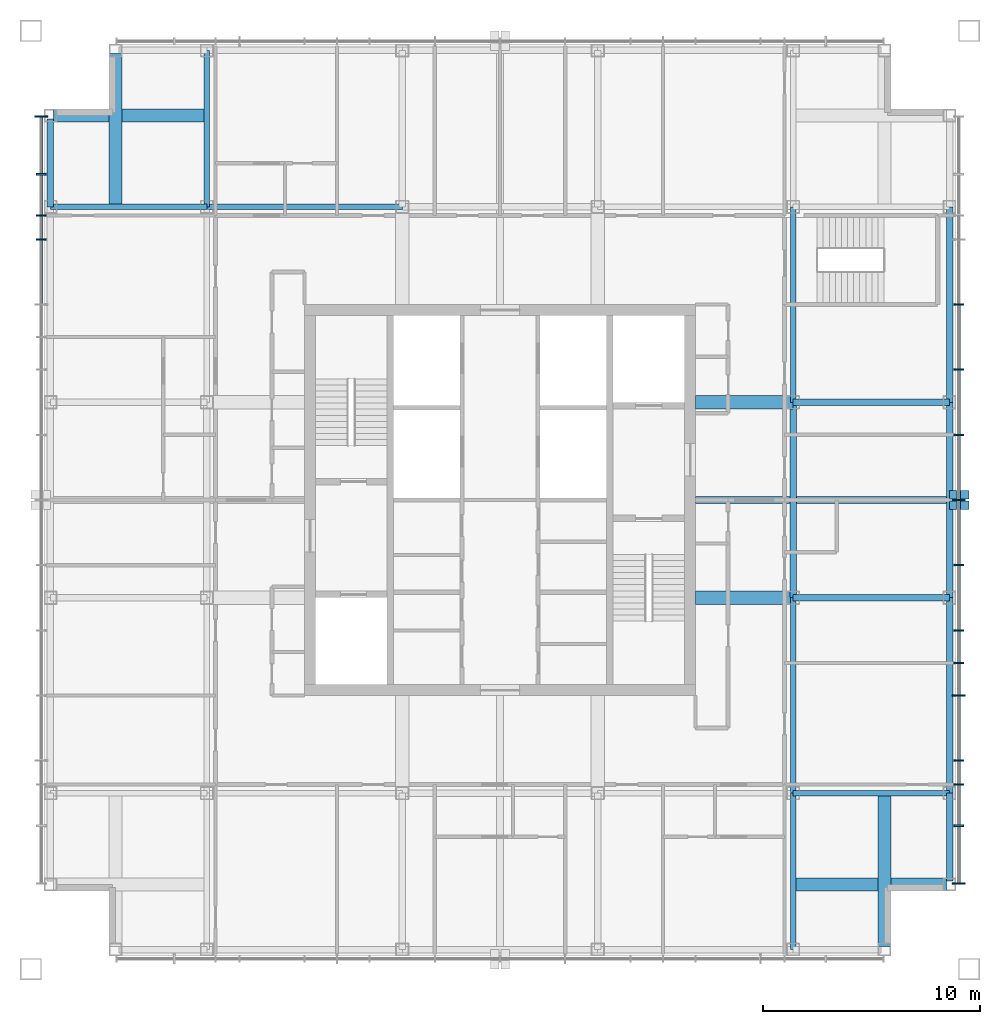
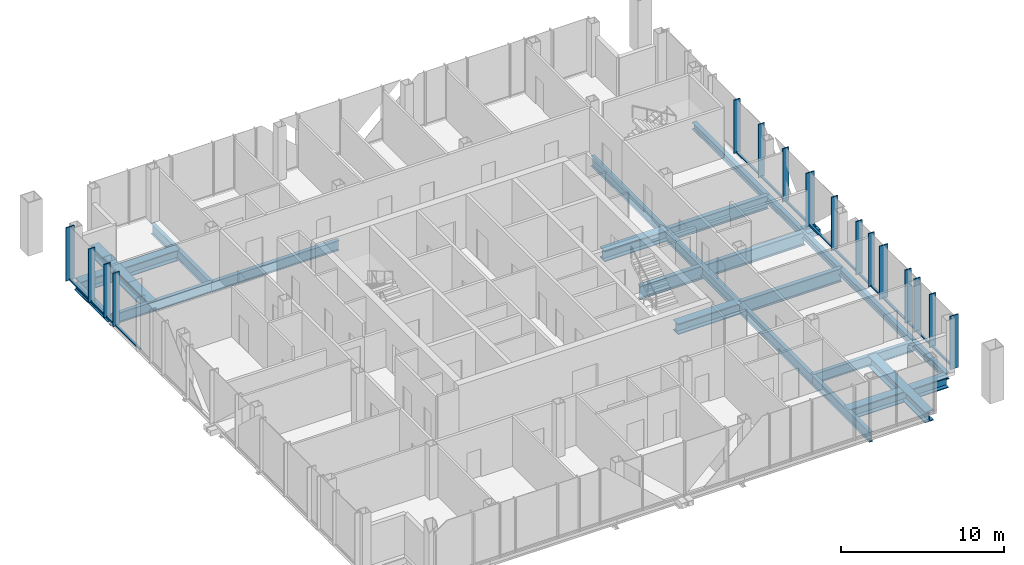
# One storey, part 4 of 12: 33 members, 22 beams, 2 elements without a shape of their own.
"""IFC4 building model written with IfcOpenShell, lengths in metres."""

import ifcopenshell
import ifcopenshell.guid

model = None  # the IFC model being written
_history = None  # IfcOwnerHistory: only IFC2X3 demands one
_inside = {}  # id of a spatial element -> (the spatial element, [elements in it])
_under = {}  # id of a project, library or spatial element -> (it, [spatial elements below it])
_declared = {}  # id of a project -> (the project, [libraries it declares])
_typed = {}  # id of a type object -> (the type object, [elements of that type])
_made_of = {}  # id of a material, layer set ... -> (it, [elements and type objects made of it])


def new_model(schema):
    """Start an empty IFC model of exactly this schema.

    Asked for "IFC4X3", IfcOpenShell would pick the latest addendum, in which some entities
    have other attributes; the version numbers below select the first issue.
    IFC2X3 requires an IfcOwnerHistory on every rooted entity: one is made here for all.
    """
    global model, _history
    if schema == "IFC4X3":
        model = ifcopenshell.file(schema_version=(4, 3, 0, 0))
    else:
        model = ifcopenshell.file(schema=schema)
    _inside.clear()
    _under.clear()
    _declared.clear()
    _typed.clear()
    _made_of.clear()
    _history = None
    if model.schema == "IFC2X3":
        org = make("IfcOrganization", Name="unknown")
        user = make(
            "IfcPersonAndOrganization",
            ThePerson=make("IfcPerson", FamilyName="unknown"),
            TheOrganization=org,
        )
        app = make(
            "IfcApplication",
            ApplicationDeveloper=org,
            Version="unknown",
            ApplicationFullName="unknown",
            ApplicationIdentifier="unknown",
        )
        _history = make(
            "IfcOwnerHistory",
            OwningUser=user,
            OwningApplication=app,
            ChangeAction="ADDED",
            CreationDate=0,
        )
    return model


def make(cls, **values):
    """One entity of the class cls with the attributes given. An attribute that is None is left unset."""
    return model.create_entity(
        cls, **{name: value for name, value in values.items() if value is not None}
    )


def rooted(cls, **values):
    """An entity with a GlobalId (a new one), such as an element, a storey or a relation."""
    return make(cls, GlobalId=ifcopenshell.guid.new(), OwnerHistory=_history, **values)


def si_unit(unit_type, name, prefix=None):
    """IfcSIUnit, for example si_unit("LENGTHUNIT", "METRE", prefix="MILLI")."""
    return make("IfcSIUnit", UnitType=unit_type, Prefix=prefix, Name=name)


def assignment(units):
    """IfcUnitAssignment: the units of a project."""
    return None if units is None else make("IfcUnitAssignment", Units=units)


def point(xyz):
    """IfcCartesianPoint."""
    return None if xyz is None else make("IfcCartesianPoint", Coordinates=xyz)


def direction(xyz):
    """IfcDirection."""
    return None if xyz is None else make("IfcDirection", DirectionRatios=xyz)


def frame(location, z_axis=None, x_axis=None):
    """IfcAxis2Placement3D, a coordinate frame: its origin and axes. An axis left out is left unset."""
    return make(
        "IfcAxis2Placement3D",
        Location=point(location),
        Axis=direction(z_axis),
        RefDirection=direction(x_axis),
    )


def frame_2d(location, x_axis=None):
    """IfcAxis2Placement2D, a coordinate frame in the plane: its origin and x axis."""
    return make(
        "IfcAxis2Placement2D", Location=point(location), RefDirection=direction(x_axis)
    )


def origin():
    """The frame at (0, 0, 0) with its axes left unset."""
    return frame((0.0, 0.0, 0.0))


def origin_2d():
    """The frame at (0, 0) in the plane with its x axis left unset."""
    return frame_2d((0.0, 0.0))


def place(relative_to, where):
    """IfcLocalPlacement: puts the frame where relative to a parent placement (None: the world)."""
    return make(
        "IfcLocalPlacement", PlacementRelTo=relative_to, RelativePlacement=where
    )


def context(
    kind, dimensions, precision=None, world=None, true_north=None, identifier=None
):
    """IfcGeometricRepresentationContext, for example the 3D "Model" context."""
    return make(
        "IfcGeometricRepresentationContext",
        ContextIdentifier=identifier,
        ContextType=kind,
        CoordinateSpaceDimension=dimensions,
        Precision=precision,
        WorldCoordinateSystem=world,
        TrueNorth=true_north,
    )


def subcontext(parent, identifier, kind, view, scale=None):
    """IfcGeometricRepresentationSubContext, for example "Body" below "Model"."""
    return make(
        "IfcGeometricRepresentationSubContext",
        ContextIdentifier=identifier,
        ContextType=kind,
        ParentContext=parent,
        TargetScale=scale,
        TargetView=view,
    )


def project(units=None, contexts=None):
    """IfcProject with its units and contexts."""
    return rooted(
        "IfcProject",
        Name="project",
        RepresentationContexts=contexts,
        UnitsInContext=assignment(units),
    )


def spatial(cls, under=None, at=None, **own):
    """A site, building, storey or space (cls), placed at a placement, below another one or the project."""
    s = rooted(cls, ObjectPlacement=at, **own)
    if under is not None:
        _under.setdefault(under.id(), (under, []))[1].append(s)
    return s


def profile(cls, at=None, kind="AREA", **sizes):
    """A parametric profile (cls). Its sizes go by their IFC names, for example OverallWidth=200.0."""
    return make(cls, ProfileType=kind, Position=at, **sizes)


def rectangle(**sizes):
    """IfcRectangleProfileDef."""
    return profile("IfcRectangleProfileDef", **sizes)


def hollow_rectangle(**sizes):
    """IfcRectangleHollowProfileDef."""
    return profile("IfcRectangleHollowProfileDef", **sizes)


def i_section(**sizes):
    """IfcIShapeProfileDef."""
    return profile("IfcIShapeProfileDef", **sizes)


def extrude(swept, where, along, depth):
    """IfcExtrudedAreaSolid: the profile swept, set in the frame where, extruded along a direction by depth."""
    return make(
        "IfcExtrudedAreaSolid",
        SweptArea=swept,
        Position=where,
        ExtrudedDirection=direction(along),
        Depth=depth,
    )


def shape(context_of_items, identifier, shape_type, items):
    """IfcShapeRepresentation: the items that make up one representation, for example the "Body"."""
    return make(
        "IfcShapeRepresentation",
        ContextOfItems=context_of_items,
        RepresentationIdentifier=identifier,
        RepresentationType=shape_type,
        Items=items,
    )


def material(Name=None, Category=None):
    """IfcMaterial."""
    return make("IfcMaterial", Name=Name, Category=Category)


def layer(
    of_material, thickness, ventilated=None, Name=None, Category=None, Priority=None
):
    """IfcMaterialLayer: one layer of a wall or slab, of a material (None: an air gap)."""
    return make(
        "IfcMaterialLayer",
        Material=of_material,
        LayerThickness=thickness,
        IsVentilated=ventilated,
        Name=Name,
        Category=Category,
        Priority=Priority,
    )


def layer_set(layers, Name=None):
    """IfcMaterialLayerSet."""
    return make("IfcMaterialLayerSet", MaterialLayers=layers, LayerSetName=Name)


def material_profile(
    of_material, cross_section, Name=None, Category=None, Priority=None
):
    """IfcMaterialProfile: a cross section and its material."""
    return make(
        "IfcMaterialProfile",
        Name=Name,
        Material=of_material,
        Profile=cross_section,
        Priority=Priority,
        Category=Category,
    )


def profile_set(profiles, Name=None, composite=None):
    """IfcMaterialProfileSet."""
    return make(
        "IfcMaterialProfileSet",
        Name=Name,
        MaterialProfiles=profiles,
        CompositeProfile=composite,
    )


def made_of(thing, what):
    """Note that an element or type object is made of a material, layer set ...; save() writes the relation."""
    if what is not None:
        _made_of.setdefault(what.id(), (what, []))[1].append(thing)
    return thing


def type_object(cls, material=None, **own):
    """A type object (cls), such as IfcWallType, which elements share."""
    return made_of(rooted(cls, **own), material)


def element(
    cls,
    number,
    at=None,
    inside=None,
    cuts=None,
    type_object=None,
    material=None,
    context=None,
    identifier="Body",
    shape_type=None,
    held_by="IfcProductDefinitionShape",
    body=None,
    shapes=None,
    **own,
):
    """One element of the class cls, such as IfcWall. Its Tag is "e" and its number.

    at: its placement. inside: the storey or other place that contains it. cuts: it is an
    opening in that element (IfcRelVoidsElement). A single representation is given by context,
    identifier, shape_type and body (its items); several are given by shapes. held_by: the class
    of the entity that holds the representations. save() writes the other relations.
    """
    e = rooted(cls, Tag="e%d" % number, ObjectPlacement=at, **own)
    if body is not None:
        shapes = [shape(context, identifier, shape_type, body)]
    if shapes is not None:
        e.Representation = make(held_by, Representations=shapes)
    if inside is not None:
        _inside.setdefault(inside.id(), (inside, []))[1].append(e)
    if cuts is not None:
        rooted(
            "IfcRelVoidsElement", RelatingBuildingElement=cuts, RelatedOpeningElement=e
        )
    if type_object is not None:
        _typed.setdefault(type_object.id(), (type_object, []))[1].append(e)
    return made_of(e, material)


def aggregate(whole, parts):
    """IfcRelAggregates: a whole, such as a stair, and the parts it consists of."""
    return rooted("IfcRelAggregates", RelatingObject=whole, RelatedObjects=parts)


def save(model, path):
    """Write the relations noted so far, then the file.

    IfcRelAggregates (storeys below a building ...), IfcRelContainedInSpatialStructure (elements
    in a storey), IfcRelDefinesByType, IfcRelAssociatesMaterial and IfcRelDeclares: one each for
    every whole, place, type object, material and project.
    """
    for whole, parts in _under.values():
        aggregate(whole, parts)
    for where, things in _inside.values():
        rooted(
            "IfcRelContainedInSpatialStructure",
            RelatedElements=things,
            RelatingStructure=where,
        )
    for kind, things in _typed.values():
        rooted("IfcRelDefinesByType", RelatedObjects=things, RelatingType=kind)
    for what, things in _made_of.values():
        rooted("IfcRelAssociatesMaterial", RelatedObjects=things, RelatingMaterial=what)
    for by, libraries in _declared.values():
        rooted("IfcRelDeclares", RelatingContext=by, RelatedDefinitions=libraries)
    model.write(path)


model = new_model("IFC4")

# Units and contexts
model_context = context("Model", 3, precision=1e-05, world=origin(), true_north=direction((0.0, 1.0)))
body_context = subcontext(model_context, "Body", "Model", "MODEL_VIEW")
ifc_project = project(units=[si_unit("LENGTHUNIT", "METRE"), si_unit("AREAUNIT", "SQUARE_METRE"), si_unit("VOLUMEUNIT", "CUBIC_METRE"), si_unit("PLANEANGLEUNIT", "RADIAN"), si_unit("MASSUNIT", "GRAM", prefix="KILO")], contexts=[model_context])

# Site, building, storey
site_placement = place(None, origin())
site = spatial("IfcSite", under=ifc_project, at=site_placement, CompositionType="ELEMENT")
building_placement = place(site_placement, origin())
building = spatial("IfcBuilding", under=site, at=building_placement, Name="Malebo Sky Hospital", CompositionType="ELEMENT")
storey_placement = place(building_placement, frame((0.0, 0.0, 270.0)))
storey = spatial("IfcBuildingStorey", under=building, at=storey_placement, Name="L65", CompositionType="ELEMENT", Elevation=270.0)

# Curtain wall, members
ifc_material_1 = material(Name="Anodised aluminium, natural silver", Category="aluminium")
ifc_layer = layer(ifc_material_1, 0.25)
ifc_layer_set = layer_set([ifc_layer], Name="WARD CURTAIN WALL EAST AND WEST")
curtain_wall_type = type_object("IfcCurtainWallType", Name="WARD CURTAIN WALL EAST AND WEST", PredefinedType="NOTDEFINED", material=ifc_layer_set)
curtain_wall_1_placement = place(storey_placement, origin())
curtain_wall_1 = element("IfcCurtainWall", 1, at=curtain_wall_1_placement, inside=storey, type_object=curtain_wall_type, Name="EW curtain wall W", PredefinedType="NOTDEFINED")
ifc_material_profile_1 = material_profile(ifc_material_1, rectangle(XDim=0.14990234375, YDim=0.10009765625, at=origin_2d()), Name="ALUMINIUM TRANSOM 150x100")
ifc_profile_set_1 = profile_set([ifc_material_profile_1], Name="Anodised aluminium, natural silver")
member_type_1 = type_object("IfcMemberType", Name="ALUMINIUM TRANSOM 150x100", PredefinedType="USERDEFINED", material=ifc_profile_set_1)
member_1_placement = place(storey_placement, frame((38.875, 71.03759765625, 0.050048828125), z_axis=(0.0, 1.0, 0.0), x_axis=(-1.0, 0.0, 0.0)))
member_1 = element("IfcMember", 2, at=member_1_placement, type_object=member_type_1, Name="Transom 12", ObjectType="TRANSOM", PredefinedType="USERDEFINED", context=body_context, shape_type="SweptSolid", body=[
    extrude(rectangle(XDim=0.14990234375, YDim=0.10009765625, at=origin_2d()), origin(), (0.0, 0.0, 1.0), 2.9248046875),
])
member_2_placement = place(storey_placement, frame((38.875, 74.03759765625, 0.050048828125), z_axis=(0.0, 1.0, 0.0), x_axis=(-1.0, 0.0, 0.0)))
member_2 = element("IfcMember", 3, at=member_2_placement, type_object=member_type_1, Name="Transom 13", ObjectType="TRANSOM", PredefinedType="USERDEFINED", context=body_context, shape_type="SweptSolid", body=[
    extrude(rectangle(XDim=0.14990234375, YDim=0.10009765625, at=origin_2d()), origin(), (0.0, 0.0, 1.0), 1.02490234375),
])
member_3_placement = place(storey_placement, frame((38.875, 75.137451171875, 0.050048828125), z_axis=(0.0, 1.0, 0.0), x_axis=(-1.0, 0.0, 0.0)))
member_3 = element("IfcMember", 4, at=member_3_placement, type_object=member_type_1, Name="Transom 14", ObjectType="TRANSOM", PredefinedType="USERDEFINED", context=body_context, shape_type="SweptSolid", body=[
    extrude(rectangle(XDim=0.14990234375, YDim=0.10009765625, at=origin_2d()), origin(), (0.0, 0.0, 1.0), 1.824951171875),
])
member_4_placement = place(storey_placement, frame((38.875, 77.03759765625, 0.050048828125), z_axis=(0.0, 1.0, 0.0), x_axis=(-1.0, 0.0, 0.0)))
member_4 = element("IfcMember", 5, at=member_4_placement, type_object=member_type_1, Name="Transom 15", ObjectType="TRANSOM", PredefinedType="USERDEFINED", context=body_context, shape_type="SweptSolid", body=[
    extrude(rectangle(XDim=0.14990234375, YDim=0.10009765625, at=origin_2d()), origin(), (0.0, 0.0, 1.0), 2.58740234375),
])

curtain_wall_2_placement = place(storey_placement, origin())
curtain_wall_2 = element("IfcCurtainWall", 6, at=curtain_wall_2_placement, inside=storey, type_object=curtain_wall_type, Name="EW curtain wall E", PredefinedType="NOTDEFINED")
member_5_placement = place(storey_placement, frame((81.125, 70.96240234375, 0.050048828125), z_axis=(0.0, -1.0, 0.0), x_axis=(1.0, 0.0, 0.0)))
member_5 = element("IfcMember", 7, at=member_5_placement, type_object=member_type_1, Name="Transom 5", ObjectType="TRANSOM", PredefinedType="USERDEFINED", context=body_context, shape_type="SweptSolid", body=[
    extrude(rectangle(XDim=0.14990234375, YDim=0.10009765625, at=origin_2d()), origin(), (0.0, 0.0, 1.0), 2.9248046875),
])
member_6_placement = place(storey_placement, frame((81.125, 67.96240234375, 0.050048828125), z_axis=(0.0, -1.0, 0.0), x_axis=(1.0, 0.0, 0.0)))
member_6 = element("IfcMember", 8, at=member_6_placement, type_object=member_type_1, Name="Transom 6", ObjectType="TRANSOM", PredefinedType="USERDEFINED", context=body_context, shape_type="SweptSolid", body=[
    extrude(rectangle(XDim=0.14990234375, YDim=0.10009765625, at=origin_2d()), origin(), (0.0, 0.0, 1.0), 2.9248046875),
])
member_7_placement = place(storey_placement, frame((81.125, 64.96240234375, 0.050048828125), z_axis=(0.0, -1.0, 0.0), x_axis=(1.0, 0.0, 0.0)))
member_7 = element("IfcMember", 9, at=member_7_placement, type_object=member_type_1, Name="Transom 7", ObjectType="TRANSOM", PredefinedType="USERDEFINED", context=body_context, shape_type="SweptSolid", body=[
    extrude(rectangle(XDim=0.14990234375, YDim=0.10009765625, at=origin_2d()), origin(), (0.0, 0.0, 1.0), 2.9248046875),
])
member_8_placement = place(storey_placement, frame((81.125, 61.96240234375, 0.050048828125), z_axis=(0.0, -1.0, 0.0), x_axis=(1.0, 0.0, 0.0)))
member_8 = element("IfcMember", 10, at=member_8_placement, type_object=member_type_1, Name="Transom 8", ObjectType="TRANSOM", PredefinedType="USERDEFINED", context=body_context, shape_type="SweptSolid", body=[
    extrude(rectangle(XDim=0.14990234375, YDim=0.10009765625, at=origin_2d()), origin(), (0.0, 0.0, 1.0), 2.9248046875),
])
member_9_placement = place(storey_placement, frame((81.125, 58.96240234375, 0.050048828125), z_axis=(0.0, -1.0, 0.0), x_axis=(1.0, 0.0, 0.0)))
member_9 = element("IfcMember", 11, at=member_9_placement, type_object=member_type_1, Name="Transom 9", ObjectType="TRANSOM", PredefinedType="USERDEFINED", context=body_context, shape_type="SweptSolid", body=[
    extrude(rectangle(XDim=0.14990234375, YDim=0.10009765625, at=origin_2d()), origin(), (0.0, 0.0, 1.0), 2.9248046875),
])
member_10_placement = place(storey_placement, frame((81.125, 55.96240234375, 0.050048828125), z_axis=(0.0, -1.0, 0.0), x_axis=(1.0, 0.0, 0.0)))
member_10 = element("IfcMember", 12, at=member_10_placement, type_object=member_type_1, Name="Transom 10", ObjectType="TRANSOM", PredefinedType="USERDEFINED", context=body_context, shape_type="SweptSolid", body=[
    extrude(rectangle(XDim=0.14990234375, YDim=0.10009765625, at=origin_2d()), origin(), (0.0, 0.0, 1.0), 1.4248046875),
])
member_11_placement = place(storey_placement, frame((81.125, 54.46240234375, 0.050048828125), z_axis=(0.0, -1.0, 0.0), x_axis=(1.0, 0.0, 0.0)))
member_11 = element("IfcMember", 13, at=member_11_placement, type_object=member_type_1, Name="Transom 11", ObjectType="TRANSOM", PredefinedType="USERDEFINED", context=body_context, shape_type="SweptSolid", body=[
    extrude(rectangle(XDim=0.14990234375, YDim=0.10009765625, at=origin_2d()), origin(), (0.0, 0.0, 1.0), 1.4248046875),
])
member_12_placement = place(storey_placement, frame((81.125, 52.96240234375, 0.050048828125), z_axis=(0.0, -1.0, 0.0), x_axis=(1.0, 0.0, 0.0)))
member_12 = element("IfcMember", 14, at=member_12_placement, type_object=member_type_1, Name="Transom 12", ObjectType="TRANSOM", PredefinedType="USERDEFINED", context=body_context, shape_type="SweptSolid", body=[
    extrude(rectangle(XDim=0.14990234375, YDim=0.10009765625, at=origin_2d()), origin(), (0.0, 0.0, 1.0), 2.9248046875),
])
member_13_placement = place(storey_placement, frame((81.125, 49.96240234375, 0.050048828125), z_axis=(0.0, -1.0, 0.0), x_axis=(1.0, 0.0, 0.0)))
member_13 = element("IfcMember", 15, at=member_13_placement, type_object=member_type_1, Name="Transom 13", ObjectType="TRANSOM", PredefinedType="USERDEFINED", context=body_context, shape_type="SweptSolid", body=[
    extrude(rectangle(XDim=0.14990234375, YDim=0.10009765625, at=origin_2d()), origin(), (0.0, 0.0, 1.0), 1.02490234375),
])
member_14_placement = place(storey_placement, frame((81.125, 48.862548828125, 0.050048828125), z_axis=(0.0, -1.0, 0.0), x_axis=(1.0, 0.0, 0.0)))
member_14 = element("IfcMember", 16, at=member_14_placement, type_object=member_type_1, Name="Transom 14", ObjectType="TRANSOM", PredefinedType="USERDEFINED", context=body_context, shape_type="SweptSolid", body=[
    extrude(rectangle(XDim=0.14990234375, YDim=0.10009765625, at=origin_2d()), origin(), (0.0, 0.0, 1.0), 1.824951171875),
])
member_15_placement = place(storey_placement, frame((81.125, 46.96240234375, 0.050048828125), z_axis=(0.0, -1.0, 0.0), x_axis=(1.0, 0.0, 0.0)))
member_15 = element("IfcMember", 17, at=member_15_placement, type_object=member_type_1, Name="Transom 15", ObjectType="TRANSOM", PredefinedType="USERDEFINED", context=body_context, shape_type="SweptSolid", body=[
    extrude(rectangle(XDim=0.14990234375, YDim=0.10009765625, at=origin_2d()), origin(), (0.0, 0.0, 1.0), 2.58740234375),
])

# Members
ifc_material_2 = material(Name="Steel S355", Category="steel")
ifc_material_profile_2 = material_profile(ifc_material_2, hollow_rectangle(XDim=0.39990234375, YDim=0.39990234375, WallThickness=0.02001953125, at=origin_2d()), Name="SHS 400x20")
ifc_profile_set_2 = profile_set([ifc_material_profile_2], Name="Steel S355")
member_type_2 = type_object("IfcMemberType", Name="BRACE STRUT SHS 400x20", PredefinedType="STRUT", material=ifc_profile_set_2)
for number, where, z_axis, x_axis, name in (
    (18, (81.60009765625, 62.240234375, -0.39990234375), (-1.0, 0.0, 0.0), (0.0, -1.0, 0.0), "Brace strut DE1 L65"),
    (19, (81.60009765625, 61.759765625, -0.39990234375), (-1.0, 0.0, 0.0), (0.0, -1.0, 0.0), "Brace strut DE2 L65"),
):
    element("IfcMember", number, at=place(storey_placement, frame(where, z_axis=z_axis, x_axis=x_axis)), inside=storey, type_object=member_type_2, Name=name, PredefinedType="STRUT", context=body_context, shape_type="SweptSolid", body=[
        extrude(hollow_rectangle(XDim=0.39990234375, YDim=0.39990234375, WallThickness=0.02001953125, at=origin_2d()), origin(), (0.0, 0.0, 1.0), 0.900146484375),
    ])

# Member
ifc_material_profile_3 = material_profile(ifc_material_1, rectangle(XDim=0.074951171875, YDim=0.449951171875, at=origin_2d()), Name="CW2 ALUMINIUM FIN MULLION 75x450")
ifc_profile_set_3 = profile_set([ifc_material_profile_3], Name="Anodised aluminium, natural silver")
member_type_3 = type_object("IfcMemberType", Name="CW2 ALUMINIUM FIN MULLION 75x450", PredefinedType="MULLION", material=ifc_profile_set_3)
member_16_placement = place(storey_placement, frame((38.875, 74.0, 0.0), z_axis=(0.0, 0.0, 1.0), x_axis=(0.0, 1.0, 0.0)))
member_16 = element("IfcMember", 20, at=member_16_placement, type_object=member_type_3, Name="Fin mullion 13", PredefinedType="MULLION", context=body_context, shape_type="SweptSolid", body=[
    extrude(rectangle(XDim=0.074951171875, YDim=0.449951171875, at=origin_2d()), origin(), (0.0, 0.0, 1.0), 4.0),
])

member_17_placement = place(storey_placement, frame((38.875, 75.10009765625, 0.0), z_axis=(0.0, 0.0, 1.0), x_axis=(0.0, 1.0, 0.0)))
member_17 = element("IfcMember", 21, at=member_17_placement, type_object=member_type_3, Name="Fin mullion 14", PredefinedType="MULLION", context=body_context, shape_type="SweptSolid", body=[
    extrude(rectangle(XDim=0.074951171875, YDim=0.449951171875, at=origin_2d()), origin(), (0.0, 0.0, 1.0), 4.0),
])

member_18_placement = place(storey_placement, frame((38.875, 77.0, 0.0), z_axis=(0.0, 0.0, 1.0), x_axis=(0.0, 1.0, 0.0)))
member_18 = element("IfcMember", 22, at=member_18_placement, type_object=member_type_3, Name="Fin mullion 15", PredefinedType="MULLION", context=body_context, shape_type="SweptSolid", body=[
    extrude(rectangle(XDim=0.074951171875, YDim=0.449951171875, at=origin_2d()), origin(), (0.0, 0.0, 1.0), 4.0),
])

member_19_placement = place(storey_placement, frame((81.125, 71.0, 0.0), z_axis=(0.0, 0.0, 1.0), x_axis=(0.0, -1.0, 0.0)))
member_19 = element("IfcMember", 23, at=member_19_placement, type_object=member_type_3, Name="Fin mullion 5", PredefinedType="MULLION", context=body_context, shape_type="SweptSolid", body=[
    extrude(rectangle(XDim=0.074951171875, YDim=0.449951171875, at=origin_2d()), origin(), (0.0, 0.0, 1.0), 4.0),
])

member_20_placement = place(storey_placement, frame((81.125, 68.0, 0.0), z_axis=(0.0, 0.0, 1.0), x_axis=(0.0, -1.0, 0.0)))
member_20 = element("IfcMember", 24, at=member_20_placement, type_object=member_type_3, Name="Fin mullion 6", PredefinedType="MULLION", context=body_context, shape_type="SweptSolid", body=[
    extrude(rectangle(XDim=0.074951171875, YDim=0.449951171875, at=origin_2d()), origin(), (0.0, 0.0, 1.0), 4.0),
])

member_21_placement = place(storey_placement, frame((81.125, 65.0, 0.0), z_axis=(0.0, 0.0, 1.0), x_axis=(0.0, -1.0, 0.0)))
member_21 = element("IfcMember", 25, at=member_21_placement, type_object=member_type_3, Name="Fin mullion 7", PredefinedType="MULLION", context=body_context, shape_type="SweptSolid", body=[
    extrude(rectangle(XDim=0.074951171875, YDim=0.449951171875, at=origin_2d()), origin(), (0.0, 0.0, 1.0), 4.0),
])

member_22_placement = place(storey_placement, frame((81.125, 59.0, 0.0), z_axis=(0.0, 0.0, 1.0), x_axis=(0.0, -1.0, 0.0)))
member_22 = element("IfcMember", 26, at=member_22_placement, type_object=member_type_3, Name="Fin mullion 9", PredefinedType="MULLION", context=body_context, shape_type="SweptSolid", body=[
    extrude(rectangle(XDim=0.074951171875, YDim=0.449951171875, at=origin_2d()), origin(), (0.0, 0.0, 1.0), 4.0),
])

member_23_placement = place(storey_placement, frame((81.125, 56.0, 0.0), z_axis=(0.0, 0.0, 1.0), x_axis=(0.0, -1.0, 0.0)))
member_23 = element("IfcMember", 27, at=member_23_placement, type_object=member_type_3, Name="Fin mullion 10", PredefinedType="MULLION", context=body_context, shape_type="SweptSolid", body=[
    extrude(rectangle(XDim=0.074951171875, YDim=0.449951171875, at=origin_2d()), origin(), (0.0, 0.0, 1.0), 4.0),
])

member_24_placement = place(storey_placement, frame((81.125, 54.5, 0.0), z_axis=(0.0, 0.0, 1.0), x_axis=(0.0, -1.0, 0.0)))
member_24 = element("IfcMember", 28, at=member_24_placement, type_object=member_type_3, Name="Fin mullion 11", PredefinedType="MULLION", context=body_context, shape_type="SweptSolid", body=[
    extrude(rectangle(XDim=0.074951171875, YDim=0.449951171875, at=origin_2d()), origin(), (0.0, 0.0, 1.0), 4.0),
])

member_25_placement = place(storey_placement, frame((81.125, 50.0, 0.0), z_axis=(0.0, 0.0, 1.0), x_axis=(0.0, -1.0, 0.0)))
member_25 = element("IfcMember", 29, at=member_25_placement, type_object=member_type_3, Name="Fin mullion 13", PredefinedType="MULLION", context=body_context, shape_type="SweptSolid", body=[
    extrude(rectangle(XDim=0.074951171875, YDim=0.449951171875, at=origin_2d()), origin(), (0.0, 0.0, 1.0), 4.0),
])

member_26_placement = place(storey_placement, frame((81.125, 48.89990234375, 0.0), z_axis=(0.0, 0.0, 1.0), x_axis=(0.0, -1.0, 0.0)))
member_26 = element("IfcMember", 30, at=member_26_placement, type_object=member_type_3, Name="Fin mullion 14", PredefinedType="MULLION", context=body_context, shape_type="SweptSolid", body=[
    extrude(rectangle(XDim=0.074951171875, YDim=0.449951171875, at=origin_2d()), origin(), (0.0, 0.0, 1.0), 4.0),
])

member_27_placement = place(storey_placement, frame((81.125, 47.0, 0.0), z_axis=(0.0, 0.0, 1.0), x_axis=(0.0, -1.0, 0.0)))
member_27 = element("IfcMember", 31, at=member_27_placement, type_object=member_type_3, Name="Fin mullion 15", PredefinedType="MULLION", context=body_context, shape_type="SweptSolid", body=[
    extrude(rectangle(XDim=0.074951171875, YDim=0.449951171875, at=origin_2d()), origin(), (0.0, 0.0, 1.0), 4.0),
])

ifc_material_profile_4 = material_profile(ifc_material_1, rectangle(XDim=0.074951171875, YDim=0.60009765625, at=origin_2d()), Name="CW2 ALUMINIUM FIN MULLION 75x600")
ifc_profile_set_4 = profile_set([ifc_material_profile_4], Name="Anodised aluminium, natural silver")
member_type_4 = type_object("IfcMemberType", Name="CW2 ALUMINIUM FIN MULLION 75x600", PredefinedType="MULLION", material=ifc_profile_set_4)
member_28_placement = place(storey_placement, frame((38.875, 79.66259765625, 0.0), z_axis=(0.0, 0.0, 1.0), x_axis=(0.0, 1.0, 0.0)))
member_28 = element("IfcMember", 32, at=member_28_placement, type_object=member_type_4, Name="Fin mullion 16", PredefinedType="MULLION", context=body_context, shape_type="SweptSolid", body=[
    extrude(rectangle(XDim=0.074951171875, YDim=0.60009765625, at=origin_2d()), origin(), (0.0, 0.0, 1.0), 4.0),
])

aggregate(curtain_wall_1, [member_16, member_17, member_18, member_28, member_1, member_2, member_3, member_4])

member_29_placement = place(storey_placement, frame((81.125, 62.0, 0.0), z_axis=(0.0, 0.0, 1.0), x_axis=(0.0, -1.0, 0.0)))
member_29 = element("IfcMember", 33, at=member_29_placement, type_object=member_type_4, Name="Fin mullion 8", PredefinedType="MULLION", context=body_context, shape_type="SweptSolid", body=[
    extrude(rectangle(XDim=0.074951171875, YDim=0.60009765625, at=origin_2d()), origin(), (0.0, 0.0, 1.0), 4.0),
])

member_30_placement = place(storey_placement, frame((81.125, 53.0, 0.0), z_axis=(0.0, 0.0, 1.0), x_axis=(0.0, -1.0, 0.0)))
member_30 = element("IfcMember", 34, at=member_30_placement, type_object=member_type_4, Name="Fin mullion 12", PredefinedType="MULLION", context=body_context, shape_type="SweptSolid", body=[
    extrude(rectangle(XDim=0.074951171875, YDim=0.60009765625, at=origin_2d()), origin(), (0.0, 0.0, 1.0), 4.0),
])

member_31_placement = place(storey_placement, frame((81.125, 44.33740234375, 0.0), z_axis=(0.0, 0.0, 1.0), x_axis=(0.0, -1.0, 0.0)))
member_31 = element("IfcMember", 35, at=member_31_placement, type_object=member_type_4, Name="Fin mullion 16", PredefinedType="MULLION", context=body_context, shape_type="SweptSolid", body=[
    extrude(rectangle(XDim=0.074951171875, YDim=0.60009765625, at=origin_2d()), origin(), (0.0, 0.0, 1.0), 4.0),
])

aggregate(curtain_wall_2, [member_19, member_20, member_21, member_29, member_22, member_23, member_24, member_30, member_25, member_26, member_27, member_31, member_5, member_6, member_7, member_8, member_9, member_10, member_11, member_12, member_13, member_14, member_15])

# Beams
ifc_material_profile_5 = material_profile(ifc_material_2, i_section(OverallWidth=0.305908203125, OverallDepth=0.52392578125, WebThickness=0.02099609375, FlangeThickness=0.0400390625, FilletRadius=0.027099609375, at=origin_2d()), Name="HEM 500")
ifc_profile_set_5 = profile_set([ifc_material_profile_5], Name="Steel S355")
beam_type_1 = type_object("IfcBeamType", Name="EDGE BEAM HEM 500", PredefinedType="BEAM", material=ifc_profile_set_5)
for number, where, z_axis, x_axis, name in (
    (36, (39.300048828125, 75.5, -0.511962890625), (0.0, 1.0, 0.0), (-1.0, 0.0, 0.0), "Beam 004 L65"),
    (37, (80.699951171875, 44.449951171875, -0.511962890625), (0.0, 1.0, 0.0), (-1.0, 0.0, 0.0), "Beam 029 L65"),
):
    element("IfcBeam", number, at=place(storey_placement, frame(where, z_axis=z_axis, x_axis=x_axis)), inside=storey, type_object=beam_type_1, Name=name, PredefinedType="BEAM", context=body_context, shape_type="SweptSolid", body=[
        extrude(i_section(OverallWidth=0.305908203125, OverallDepth=0.52392578125, WebThickness=0.02099609375, FlangeThickness=0.0400390625, FilletRadius=0.027099609375, at=origin_2d()), origin(), (0.0, 0.0, 1.0), 4.050048828125),
    ])
for number, where, z_axis, x_axis, name in (
    (38, (80.699951171875, 48.5, -0.511962890625), (0.0, 1.0, 0.0), (-1.0, 0.0, 0.0), "Beam 030 L65"),
    (39, (80.699951171875, 57.5, -0.511962890625), (0.0, 1.0, 0.0), (-1.0, 0.0, 0.0), "Beam 031 L65"),
    (40, (80.699951171875, 66.5, -0.511962890625), (0.0, 1.0, 0.0), (-1.0, 0.0, 0.0), "Beam 032 L65"),
):
    element("IfcBeam", number, at=place(storey_placement, frame(where, z_axis=z_axis, x_axis=x_axis)), inside=storey, type_object=beam_type_1, Name=name, PredefinedType="BEAM", context=body_context, shape_type="SweptSolid", body=[
        extrude(i_section(OverallWidth=0.305908203125, OverallDepth=0.52392578125, WebThickness=0.02099609375, FlangeThickness=0.0400390625, FilletRadius=0.027099609375, at=origin_2d()), origin(), (0.0, 0.0, 1.0), 9.0),
    ])
ifc_material_profile_6 = material_profile(ifc_material_2, i_section(OverallWidth=0.300048828125, OverallDepth=1.0, WebThickness=0.01904296875, FlangeThickness=0.035888671875, FilletRadius=0.030029296875, at=origin_2d()), Name="HEB 1000")
ifc_profile_set_6 = profile_set([ifc_material_profile_6], Name="Steel S355")
beam_type_2 = type_object("IfcBeamType", Name="FLOOR BEAM HEB 1000", PredefinedType="BEAM", material=ifc_profile_set_6)
beam_1_placement = place(storey_placement, frame((73.5, 57.5, -0.75), z_axis=(1.0, 0.0, 0.0), x_axis=(0.0, 1.0, 0.0)))
element("IfcBeam", 41, at=beam_1_placement, inside=storey, type_object=beam_type_2, Name="Beam 049 L65", PredefinedType="BEAM", context=body_context, shape_type="SweptSolid", body=[
    extrude(i_section(OverallWidth=0.300048828125, OverallDepth=1.0, WebThickness=0.01904296875, FlangeThickness=0.035888671875, FilletRadius=0.030029296875, at=origin_2d()), origin(), (0.0, 0.0, 1.0), 7.199951171875),
])
beam_2_placement = place(storey_placement, frame((69.0, 62.0, -0.75), z_axis=(1.0, 0.0, 0.0), x_axis=(0.0, 1.0, 0.0)))
element("IfcBeam", 42, at=beam_2_placement, inside=storey, type_object=beam_type_2, Name="Beam 051 L65", PredefinedType="BEAM", context=body_context, shape_type="SweptSolid", body=[
    extrude(i_section(OverallWidth=0.300048828125, OverallDepth=1.0, WebThickness=0.01904296875, FlangeThickness=0.035888671875, FilletRadius=0.030029296875, at=origin_2d()), origin(), (0.0, 0.0, 1.0), 11.699951171875),
])
beam_3_placement = place(storey_placement, frame((73.5, 66.5, -0.75), z_axis=(1.0, 0.0, 0.0), x_axis=(0.0, 1.0, 0.0)))
element("IfcBeam", 43, at=beam_3_placement, inside=storey, type_object=beam_type_2, Name="Beam 055 L65", PredefinedType="BEAM", context=body_context, shape_type="SweptSolid", body=[
    extrude(i_section(OverallWidth=0.300048828125, OverallDepth=1.0, WebThickness=0.01904296875, FlangeThickness=0.035888671875, FilletRadius=0.030029296875, at=origin_2d()), origin(), (0.0, 0.0, 1.0), 7.199951171875),
])
ifc_material_profile_7 = material_profile(ifc_material_2, i_section(OverallWidth=0.26708984375, OverallDepth=0.761962890625, WebThickness=0.014404296875, FlangeThickness=0.021484375, FilletRadius=0.01708984375, at=origin_2d()), Name="IPE 750x173")
ifc_profile_set_7 = profile_set([ifc_material_profile_7], Name="Steel S355")
beam_type_3 = type_object("IfcBeamType", Name="FLOOR BEAM IPE 750x173", PredefinedType="BEAM", material=ifc_profile_set_7)
for number, where, z_axis, x_axis, name in (
    (44, (73.5, 48.5, -0.631103515625), (0.0, 1.0, 0.0), (-1.0, 0.0, 0.0), "Beam 023 L65"),
    (45, (73.5, 66.5, -0.631103515625), (0.0, 1.0, 0.0), (-1.0, 0.0, 0.0), "Beam 025 L65"),
    (46, (46.5, 75.5, -0.631103515625), (1.0, 0.0, 0.0), (0.0, 1.0, 0.0), "Beam 057 L65"),
):
    element("IfcBeam", number, at=place(storey_placement, frame(where, z_axis=z_axis, x_axis=x_axis)), inside=storey, type_object=beam_type_3, Name=name, PredefinedType="BEAM", context=body_context, shape_type="SweptSolid", body=[
        extrude(i_section(OverallWidth=0.26708984375, OverallDepth=0.761962890625, WebThickness=0.014404296875, FlangeThickness=0.021484375, FilletRadius=0.01708984375, at=origin_2d()), origin(), (0.0, 0.0, 1.0), 9.0),
    ])
ifc_material_profile_8 = material_profile(ifc_material_2, i_section(OverallWidth=0.60009765625, OverallDepth=0.800048828125, WebThickness=0.0400390625, FlangeThickness=0.06005859375, at=origin_2d()), Name="PG 800x600x40x60")
ifc_profile_set_8 = profile_set([ifc_material_profile_8], Name="Steel S355")
beam_type_4 = type_object("IfcBeamType", Name="FLOOR BEAM PG 800x600x40x60", PredefinedType="BEAM", material=ifc_profile_set_8)
for number, where, z_axis, x_axis, name in (
    (47, (42.300048828125, 75.5, -0.64990234375), (0.0, 1.0, 0.0), (-1.0, 0.0, 0.0), "Beam 006 L65"),
    (48, (77.699951171875, 41.449951171875, -0.64990234375), (0.0, 1.0, 0.0), (-1.0, 0.0, 0.0), "Beam 027 L65"),
    (49, (73.5, 44.300048828125, -0.64990234375), (1.0, 0.0, 0.0), (0.0, 1.0, 0.0), "Beam 040 L65"),
):
    element("IfcBeam", number, at=place(storey_placement, frame(where, z_axis=z_axis, x_axis=x_axis)), inside=storey, type_object=beam_type_4, Name=name, PredefinedType="BEAM", context=body_context, shape_type="SweptSolid", body=[
        extrude(i_section(OverallWidth=0.60009765625, OverallDepth=0.800048828125, WebThickness=0.0400390625, FlangeThickness=0.06005859375, at=origin_2d()), origin(), (0.0, 0.0, 1.0), 7.050048828125),
    ])
for number, where, z_axis, x_axis, name in (
    (50, (69.0, 57.5, -0.64990234375), (1.0, 0.0, 0.0), (0.0, 1.0, 0.0), "Beam 048 L65"),
    (51, (69.0, 66.5, -0.64990234375), (1.0, 0.0, 0.0), (0.0, 1.0, 0.0), "Beam 054 L65"),
):
    element("IfcBeam", number, at=place(storey_placement, frame(where, z_axis=z_axis, x_axis=x_axis)), inside=storey, type_object=beam_type_4, Name=name, PredefinedType="BEAM", context=body_context, shape_type="SweptSolid", body=[
        extrude(i_section(OverallWidth=0.60009765625, OverallDepth=0.800048828125, WebThickness=0.0400390625, FlangeThickness=0.06005859375, at=origin_2d()), origin(), (0.0, 0.0, 1.0), 4.5),
    ])
beam_4_placement = place(storey_placement, frame((39.449951171875, 79.699951171875, -0.64990234375), z_axis=(1.0, 0.0, 0.0), x_axis=(0.0, 1.0, 0.0)))
element("IfcBeam", 52, at=beam_4_placement, inside=storey, type_object=beam_type_4, Name="Beam 061 L65", PredefinedType="BEAM", context=body_context, shape_type="SweptSolid", body=[
    extrude(i_section(OverallWidth=0.60009765625, OverallDepth=0.800048828125, WebThickness=0.0400390625, FlangeThickness=0.06005859375, at=origin_2d()), origin(), (0.0, 0.0, 1.0), 7.050048828125),
])
ifc_material_profile_9 = material_profile(ifc_material_2, i_section(OverallWidth=0.262939453125, OverallDepth=0.7529296875, WebThickness=0.011474609375, FlangeThickness=0.01708984375, FilletRadius=0.01708984375, at=origin_2d()), Name="IPE 750x137")
ifc_profile_set_9 = profile_set([ifc_material_profile_9], Name="Steel S355")
beam_type_5 = type_object("IfcBeamType", Name="FLOOR GIRDER IPE 750x137", PredefinedType="BEAM", material=ifc_profile_set_9)
for number, where, z_axis, x_axis, name in (
    (53, (46.5, 75.5, -0.62646484375), (0.0, 1.0, 0.0), (-1.0, 0.0, 0.0), "Beam 011 L65"),
    (54, (73.5, 41.300048828125, -0.62646484375), (0.0, 1.0, 0.0), (-1.0, 0.0, 0.0), "Beam 022 L65"),
    (55, (73.5, 48.5, -0.62646484375), (1.0, 0.0, 0.0), (0.0, 1.0, 0.0), "Beam 045 L65"),
    (56, (39.300048828125, 75.5, -0.62646484375), (1.0, 0.0, 0.0), (0.0, 1.0, 0.0), "Beam 056 L65"),
):
    element("IfcBeam", number, at=place(storey_placement, frame(where, z_axis=z_axis, x_axis=x_axis)), inside=storey, type_object=beam_type_5, Name=name, PredefinedType="BEAM", context=body_context, shape_type="SweptSolid", body=[
        extrude(i_section(OverallWidth=0.262939453125, OverallDepth=0.7529296875, WebThickness=0.011474609375, FlangeThickness=0.01708984375, FilletRadius=0.01708984375, at=origin_2d()), origin(), (0.0, 0.0, 1.0), 7.199951171875),
    ])
ifc_material_profile_10 = material_profile(ifc_material_2, i_section(OverallWidth=0.300048828125, OverallDepth=0.800048828125, WebThickness=0.017578125, FlangeThickness=0.032958984375, FilletRadius=0.030029296875, at=origin_2d()), Name="HEB 800")
ifc_profile_set_10 = profile_set([ifc_material_profile_10], Name="Steel S355")
beam_type_6 = type_object("IfcBeamType", Name="RING GIRDER HEB 800", PredefinedType="BEAM", material=ifc_profile_set_10)
beam_5_placement = place(storey_placement, frame((73.5, 57.5, -0.64990234375), z_axis=(0.0, 1.0, 0.0), x_axis=(-1.0, 0.0, 0.0)))
element("IfcBeam", 57, at=beam_5_placement, inside=storey, type_object=beam_type_6, Name="Beam 024 L65", PredefinedType="BEAM", context=body_context, shape_type="SweptSolid", body=[
    extrude(i_section(OverallWidth=0.300048828125, OverallDepth=0.800048828125, WebThickness=0.017578125, FlangeThickness=0.032958984375, FilletRadius=0.030029296875, at=origin_2d()), origin(), (0.0, 0.0, 1.0), 9.0),
])

save(model, "model.ifc")
